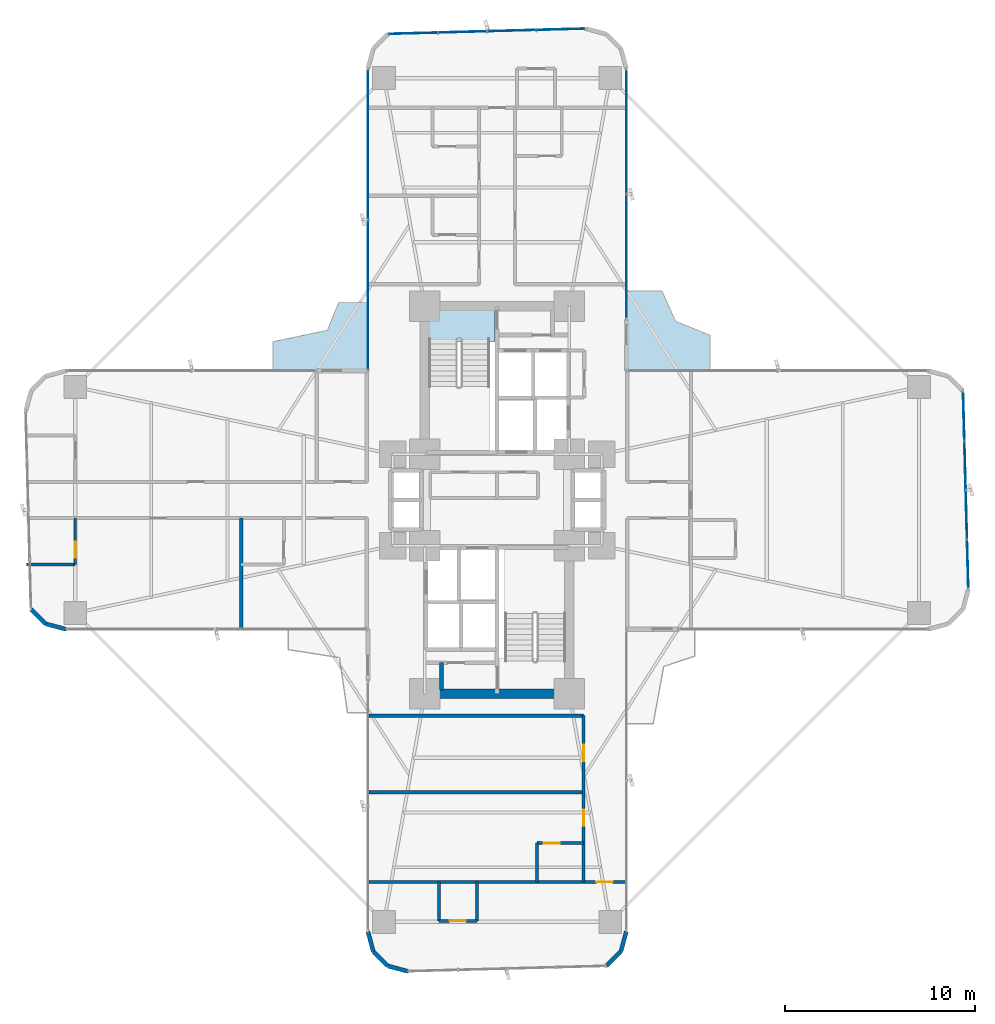
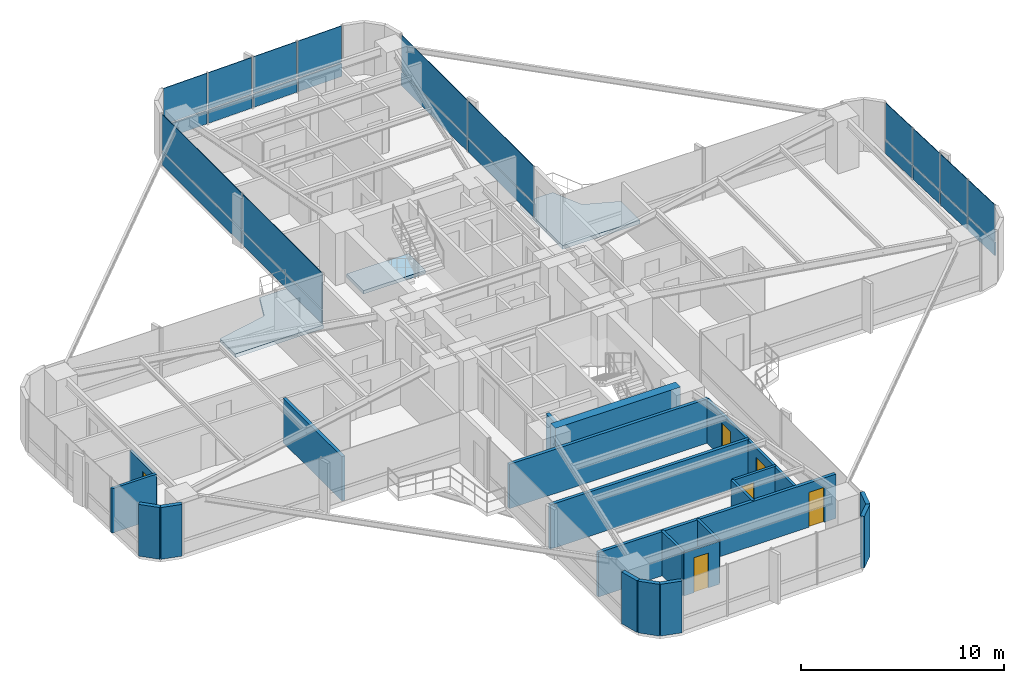
# One storey, part 21 of 25: 24 plates, 21 walls, 6 doors, 3 slabs, 6 openings, 4 elements without a shape of their own.
"""IFC4 building model written with IfcOpenShell, lengths in metres."""

from ifc_helpers import new_model, si_unit, direction, frame, frame_2d, origin, origin_2d, place, context, subcontext, project, spatial, polyline, rectangle, outline, extrude, source, transform, mapped, material, layer, layer_set, type_object, element, fill, aggregate, save


model = new_model("IFC4")

# Units and contexts
model_context = context("Model", 3, precision=1e-05, world=origin(), true_north=direction((0.0, 1.0)))
body_context = subcontext(model_context, "Body", "Model", "MODEL_VIEW")
ifc_project = project(units=[si_unit("LENGTHUNIT", "METRE"), si_unit("AREAUNIT", "SQUARE_METRE"), si_unit("VOLUMEUNIT", "CUBIC_METRE"), si_unit("PLANEANGLEUNIT", "RADIAN"), si_unit("MASSUNIT", "GRAM", prefix="KILO")], contexts=[model_context])

# Site, building, storey
site_placement = place(None, origin())
site = spatial("IfcSite", under=ifc_project, at=site_placement, CompositionType="ELEMENT")
building_placement = place(site_placement, origin())
building = spatial("IfcBuilding", under=site, at=building_placement, Name="Sahyath Konkavel Grand Hotel", CompositionType="ELEMENT")
storey_placement = place(building_placement, frame((0.0, 0.0, 54.39990234375)))
storey = spatial("IfcBuildingStorey", under=building, at=storey_placement, Name="L14", CompositionType="ELEMENT", Elevation=54.39990234375)

# Slabs
ifc_material_1 = material(Name="Concrete C40/50", Category="concrete")
ifc_layer_1 = layer(ifc_material_1, 0.219970703125)
ifc_layer_set_1 = layer_set([ifc_layer_1], Name="Concrete C40/50")
slab_type_1 = type_object("IfcSlabType", Name="SLB-BALCONY-220", PredefinedType="FLOOR", material=ifc_layer_set_1)
slab_1_placement = place(storey_placement, frame((0.0, 0.0, -0.219970703125)))
element("IfcSlab", 1, at=slab_1_placement, inside=storey, type_object=slab_type_1, Name="L14 Winter-Garden Balcony NE", PredefinedType="FLOOR", context=body_context, shape_type="SweptSolid", body=[
    extrude(outline(polyline([(6.800048828125, 6.800048828125), (11.198974609375, 6.800048828125), (11.198974609375, 8.66845703125), (9.39501953125, 9.39501953125), (8.66845703125, 11.0009765625), (6.800048828125, 11.0009765625), (6.800048828125, 6.800048828125)])), origin(), (0.0, 0.0, 1.0), 0.219970703125),
])
slab_2_placement = place(storey_placement, frame((0.0, 0.0, -0.219970703125)))
element("IfcSlab", 2, at=slab_2_placement, inside=storey, type_object=slab_type_1, Name="L14 Winter-Garden Balcony NW", PredefinedType="FLOOR", context=body_context, shape_type="SweptSolid", body=[
    extrude(outline(polyline([(-6.800048828125, 6.800048828125), (-6.800048828125, 10.406982421875), (-8.331298828125, 10.406982421875), (-8.927001953125, 8.927001953125), (-11.79296875, 8.331298828125), (-11.79296875, 6.800048828125), (-6.800048828125, 6.800048828125)])), origin(), (0.0, 0.0, 1.0), 0.219970703125),
])
ifc_layer_2 = layer(ifc_material_1, 0.199951171875)
ifc_layer_set_2 = layer_set([ifc_layer_2], Name="Concrete C40/50")
slab_type_2 = type_object("IfcSlabType", Name="SLB-STAIR-LND", PredefinedType="LANDING", material=ifc_layer_set_2)
slab_3_placement = place(storey_placement, frame((0.0, 0.0, -0.199951171875)))
element("IfcSlab", 3, at=slab_3_placement, inside=storey, type_object=slab_type_2, Name="L14 Stair ST-1 Floor Landing Slab", PredefinedType="LANDING", context=body_context, shape_type="SweptSolid", body=[
    extrude(outline(polyline([(-3.6201171875, 8.35009765625), (-0.10009765625, 8.35009765625), (-0.10009765625, 10.02001953125), (-3.6201171875, 10.02001953125), (-3.6201171875, 8.35009765625)])), origin(), (0.0, 0.0, 1.0), 0.199951171875),
])

# Curtain wall, plates
ifc_material_2 = material(Name="Anodised Bronze Aluminium & Low-E Glazing", Category="aluminium")
curtain_wall_type = type_object("IfcCurtainWallType", Name="CW-ZONE1", PredefinedType="NOTDEFINED", material=ifc_material_2)
curtain_wall_1_placement = place(storey_placement, origin())
curtain_wall_1 = element("IfcCurtainWall", 4, at=curtain_wall_1_placement, inside=storey, type_object=curtain_wall_type, Name="L14 Unitised Curtain Wall F15", PredefinedType="NOTDEFINED")
ifc_material_3 = material(Name="Warm Buff Sandstone Cladding", Category="masonry")
ifc_layer_3 = layer(ifc_material_3, 0.074951171875)
ifc_layer_set_3 = layer_set([ifc_layer_3], Name="Warm Buff Sandstone Cladding")
plate_type_1 = type_object("IfcPlateType", Name="PNL-SPANDREL-STONE", PredefinedType="SHEET", material=ifc_layer_set_3)
shared_shape_1 = source(origin(), body_context, "Body", "SweptSolid", [
    extrude(rectangle(XDim=7.830078125, YDim=0.074951171875, at=origin_2d()), origin(), (0.0, 0.0, 1.0), 0.77001953125),
])
plate_1_placement = place(storey_placement, frame((-6.800048828125, 18.705078125, 0.0400390625), z_axis=(0.0, 0.0, 1.0), x_axis=(0.0, -1.0, 0.0)))
plate_1 = element("IfcPlate", 5, at=plate_1_placement, type_object=plate_type_1, Name="L14 Sandstone Relief Spandrel Panel F15-0", PredefinedType="SHEET", context=body_context, shape_type="MappedRepresentation", body=[
    mapped(shared_shape_1, transform((0.0, 0.0, 0.0), scale=1.0)),
])
plate_2_placement = place(storey_placement, frame((-6.800048828125, 10.794921875, 0.0400390625), z_axis=(0.0, 0.0, 1.0), x_axis=(0.0, -1.0, 0.0)))
plate_2 = element("IfcPlate", 6, at=plate_2_placement, type_object=plate_type_1, Name="L14 Sandstone Relief Spandrel Panel F15-1", PredefinedType="SHEET", context=body_context, shape_type="MappedRepresentation", body=[
    mapped(shared_shape_1, transform((0.0, 0.0, 0.0), scale=1.0)),
])
ifc_material_4 = material(Name="Low-E Solar Control Double Glazing", Category="glass")
ifc_layer_4 = layer(ifc_material_4, 0.035888671875)
ifc_layer_set_4 = layer_set([ifc_layer_4], Name="Low-E Solar Control Double Glazing")
plate_type_2 = type_object("IfcPlateType", Name="PNL-VISION-LOWE", PredefinedType="CURTAIN_PANEL", material=ifc_layer_set_4)
shared_shape_2 = source(origin(), body_context, "Body", "SweptSolid", [
    extrude(rectangle(XDim=7.830078125, YDim=0.035888671875, at=origin_2d()), origin(), (0.0, 0.0, 1.0), 2.179931640625),
])
plate_3_placement = place(storey_placement, frame((-6.800048828125, 18.705078125, 0.89013671875), z_axis=(0.0, 0.0, 1.0), x_axis=(0.0, -1.0, 0.0)))
plate_3 = element("IfcPlate", 7, at=plate_3_placement, type_object=plate_type_2, Name="L14 Low-E Vision Glazing Panel F15-0", PredefinedType="CURTAIN_PANEL", context=body_context, shape_type="MappedRepresentation", body=[
    mapped(shared_shape_2, transform((0.0, 0.0, 0.0), scale=1.0)),
])
plate_4_placement = place(storey_placement, frame((-6.800048828125, 10.794921875, 0.89013671875), z_axis=(0.0, 0.0, 1.0), x_axis=(0.0, -1.0, 0.0)))
plate_4 = element("IfcPlate", 8, at=plate_4_placement, type_object=plate_type_2, Name="L14 Low-E Vision Glazing Panel F15-1", PredefinedType="CURTAIN_PANEL", context=body_context, shape_type="MappedRepresentation", body=[
    mapped(shared_shape_2, transform((0.0, 0.0, 0.0), scale=1.0)),
])
aggregate(curtain_wall_1, [plate_1, plate_3, plate_2, plate_4])

curtain_wall_2_placement = place(storey_placement, origin())
curtain_wall_2 = element("IfcCurtainWall", 9, at=curtain_wall_2_placement, inside=storey, type_object=curtain_wall_type, Name="L14 Unitised Curtain Wall F4", PredefinedType="NOTDEFINED")
shared_shape_3 = source(origin(), body_context, "Body", "SweptSolid", [
    extrude(rectangle(XDim=2.513427734375, YDim=0.074951171875, at=origin_2d()), origin(), (0.0, 0.0, 1.0), 0.77001953125),
])
plate_5_placement = place(storey_placement, frame((24.763916015625, -3.36376953125, 0.0400390625), z_axis=(0.0, 0.0, 1.0), x_axis=(-0.026909728301, 0.999637867691, 0.0)))
plate_5 = element("IfcPlate", 10, at=plate_5_placement, type_object=plate_type_1, Name="L14 Sandstone Relief Spandrel Panel F4-0", PredefinedType="SHEET", context=body_context, shape_type="MappedRepresentation", body=[
    mapped(shared_shape_3, transform((0.0, 0.0, 0.0), scale=1.0)),
])
plate_6_placement = place(storey_placement, frame((24.694091796875, -0.771240234375, 0.0400390625), z_axis=(0.0, 0.0, 1.0), x_axis=(-0.026909728301, 0.999637867691, 0.0)))
plate_6 = element("IfcPlate", 11, at=plate_6_placement, type_object=plate_type_1, Name="L14 Sandstone Relief Spandrel Panel F4-1", PredefinedType="SHEET", context=body_context, shape_type="MappedRepresentation", body=[
    mapped(shared_shape_3, transform((0.0, 0.0, 0.0), scale=1.0)),
])
plate_7_placement = place(storey_placement, frame((24.62451171875, 1.8212890625, 0.0400390625), z_axis=(0.0, 0.0, 1.0), x_axis=(-0.026909728301, 0.999637867691, 0.0)))
plate_7 = element("IfcPlate", 12, at=plate_7_placement, type_object=plate_type_1, Name="L14 Sandstone Relief Spandrel Panel F4-2", PredefinedType="SHEET", context=body_context, shape_type="MappedRepresentation", body=[
    mapped(shared_shape_3, transform((0.0, 0.0, 0.0), scale=1.0)),
])
plate_8_placement = place(storey_placement, frame((24.5546875, 4.413818359375, 0.0400390625), z_axis=(0.0, 0.0, 1.0), x_axis=(-0.026909728301, 0.999637867691, 0.0)))
plate_8 = element("IfcPlate", 13, at=plate_8_placement, type_object=plate_type_1, Name="L14 Sandstone Relief Spandrel Panel F4-3", PredefinedType="SHEET", context=body_context, shape_type="MappedRepresentation", body=[
    mapped(shared_shape_3, transform((0.0, 0.0, 0.0), scale=1.0)),
])

curtain_wall_3_placement = place(storey_placement, origin())
curtain_wall_3 = element("IfcCurtainWall", 14, at=curtain_wall_3_placement, inside=storey, type_object=curtain_wall_type, Name="L14 Unitised Curtain Wall F12", PredefinedType="NOTDEFINED")
plate_9_placement = place(storey_placement, frame((3.36376953125, 24.763916015625, 0.0400390625), z_axis=(0.0, 0.0, 1.0), x_axis=(-0.999637867691, -0.026909728301, 0.0)))
plate_9 = element("IfcPlate", 15, at=plate_9_placement, type_object=plate_type_1, Name="L14 Sandstone Relief Spandrel Panel F12-0", PredefinedType="SHEET", context=body_context, shape_type="MappedRepresentation", body=[
    mapped(shared_shape_3, transform((0.0, 0.0, 0.0), scale=1.0)),
])
plate_10_placement = place(storey_placement, frame((0.771240234375, 24.694091796875, 0.0400390625), z_axis=(0.0, 0.0, 1.0), x_axis=(-0.999637867691, -0.026909728301, 0.0)))
plate_10 = element("IfcPlate", 16, at=plate_10_placement, type_object=plate_type_1, Name="L14 Sandstone Relief Spandrel Panel F12-1", PredefinedType="SHEET", context=body_context, shape_type="MappedRepresentation", body=[
    mapped(shared_shape_3, transform((0.0, 0.0, 0.0), scale=1.0)),
])
plate_11_placement = place(storey_placement, frame((-1.8212890625, 24.62451171875, 0.0400390625), z_axis=(0.0, 0.0, 1.0), x_axis=(-0.999637867691, -0.026909728301, 0.0)))
plate_11 = element("IfcPlate", 17, at=plate_11_placement, type_object=plate_type_1, Name="L14 Sandstone Relief Spandrel Panel F12-2", PredefinedType="SHEET", context=body_context, shape_type="MappedRepresentation", body=[
    mapped(shared_shape_3, transform((0.0, 0.0, 0.0), scale=1.0)),
])
plate_12_placement = place(storey_placement, frame((-4.413818359375, 24.5546875, 0.0400390625), z_axis=(0.0, 0.0, 1.0), x_axis=(-0.999637867691, -0.026909728301, 0.0)))
plate_12 = element("IfcPlate", 18, at=plate_12_placement, type_object=plate_type_1, Name="L14 Sandstone Relief Spandrel Panel F12-3", PredefinedType="SHEET", context=body_context, shape_type="MappedRepresentation", body=[
    mapped(shared_shape_3, transform((0.0, 0.0, 0.0), scale=1.0)),
])

# Plate
shared_shape_4 = source(origin(), body_context, "Body", "SweptSolid", [
    extrude(rectangle(XDim=2.513427734375, YDim=0.035888671875, at=origin_2d()), origin(), (0.0, 0.0, 1.0), 2.179931640625),
])
plate_13_placement = place(storey_placement, frame((24.763916015625, -3.36376953125, 0.89013671875), z_axis=(0.0, 0.0, 1.0), x_axis=(-0.026909728301, 0.999637867691, 0.0)))
plate_13 = element("IfcPlate", 19, at=plate_13_placement, type_object=plate_type_2, Name="L14 Low-E Vision Glazing Panel F4-0", PredefinedType="CURTAIN_PANEL", context=body_context, shape_type="MappedRepresentation", body=[
    mapped(shared_shape_4, transform((0.0, 0.0, 0.0), scale=1.0)),
])

plate_14_placement = place(storey_placement, frame((24.694091796875, -0.771240234375, 0.89013671875), z_axis=(0.0, 0.0, 1.0), x_axis=(-0.026909728301, 0.999637867691, 0.0)))
plate_14 = element("IfcPlate", 20, at=plate_14_placement, type_object=plate_type_2, Name="L14 Low-E Vision Glazing Panel F4-1", PredefinedType="CURTAIN_PANEL", context=body_context, shape_type="MappedRepresentation", body=[
    mapped(shared_shape_4, transform((0.0, 0.0, 0.0), scale=1.0)),
])

plate_15_placement = place(storey_placement, frame((24.62451171875, 1.8212890625, 0.89013671875), z_axis=(0.0, 0.0, 1.0), x_axis=(-0.026909728301, 0.999637867691, 0.0)))
plate_15 = element("IfcPlate", 21, at=plate_15_placement, type_object=plate_type_2, Name="L14 Low-E Vision Glazing Panel F4-2", PredefinedType="CURTAIN_PANEL", context=body_context, shape_type="MappedRepresentation", body=[
    mapped(shared_shape_4, transform((0.0, 0.0, 0.0), scale=1.0)),
])

plate_16_placement = place(storey_placement, frame((24.5546875, 4.413818359375, 0.89013671875), z_axis=(0.0, 0.0, 1.0), x_axis=(-0.026909728301, 0.999637867691, 0.0)))
plate_16 = element("IfcPlate", 22, at=plate_16_placement, type_object=plate_type_2, Name="L14 Low-E Vision Glazing Panel F4-3", PredefinedType="CURTAIN_PANEL", context=body_context, shape_type="MappedRepresentation", body=[
    mapped(shared_shape_4, transform((0.0, 0.0, 0.0), scale=1.0)),
])

aggregate(curtain_wall_2, [plate_5, plate_13, plate_6, plate_14, plate_7, plate_15, plate_8, plate_16])

plate_17_placement = place(storey_placement, frame((3.36376953125, 24.763916015625, 0.89013671875), z_axis=(0.0, 0.0, 1.0), x_axis=(-0.999637867691, -0.026909728301, 0.0)))
plate_17 = element("IfcPlate", 23, at=plate_17_placement, type_object=plate_type_2, Name="L14 Low-E Vision Glazing Panel F12-0", PredefinedType="CURTAIN_PANEL", context=body_context, shape_type="MappedRepresentation", body=[
    mapped(shared_shape_4, transform((0.0, 0.0, 0.0), scale=1.0)),
])

plate_18_placement = place(storey_placement, frame((0.771240234375, 24.694091796875, 0.89013671875), z_axis=(0.0, 0.0, 1.0), x_axis=(-0.999637867691, -0.026909728301, 0.0)))
plate_18 = element("IfcPlate", 24, at=plate_18_placement, type_object=plate_type_2, Name="L14 Low-E Vision Glazing Panel F12-1", PredefinedType="CURTAIN_PANEL", context=body_context, shape_type="MappedRepresentation", body=[
    mapped(shared_shape_4, transform((0.0, 0.0, 0.0), scale=1.0)),
])

plate_19_placement = place(storey_placement, frame((-1.8212890625, 24.62451171875, 0.89013671875), z_axis=(0.0, 0.0, 1.0), x_axis=(-0.999637867691, -0.026909728301, 0.0)))
plate_19 = element("IfcPlate", 25, at=plate_19_placement, type_object=plate_type_2, Name="L14 Low-E Vision Glazing Panel F12-2", PredefinedType="CURTAIN_PANEL", context=body_context, shape_type="MappedRepresentation", body=[
    mapped(shared_shape_4, transform((0.0, 0.0, 0.0), scale=1.0)),
])

plate_20_placement = place(storey_placement, frame((-4.413818359375, 24.5546875, 0.89013671875), z_axis=(0.0, 0.0, 1.0), x_axis=(-0.999637867691, -0.026909728301, 0.0)))
plate_20 = element("IfcPlate", 26, at=plate_20_placement, type_object=plate_type_2, Name="L14 Low-E Vision Glazing Panel F12-3", PredefinedType="CURTAIN_PANEL", context=body_context, shape_type="MappedRepresentation", body=[
    mapped(shared_shape_4, transform((0.0, 0.0, 0.0), scale=1.0)),
])

aggregate(curtain_wall_3, [plate_9, plate_17, plate_10, plate_18, plate_11, plate_19, plate_12, plate_20])

# Curtain wall, plates
curtain_wall_4_placement = place(storey_placement, origin())
curtain_wall_4 = element("IfcCurtainWall", 27, at=curtain_wall_4_placement, inside=storey, type_object=curtain_wall_type, Name="L14 Unitised Curtain Wall F8", PredefinedType="NOTDEFINED")
shared_shape_5 = source(origin(), body_context, "Body", "SweptSolid", [
    extrude(rectangle(XDim=6.47998046875, YDim=0.074951171875, at=origin_2d()), origin(), (0.0, 0.0, 1.0), 0.77001953125),
])
plate_21_placement = place(storey_placement, frame((6.800048828125, 12.820068359375, 0.0400390625), z_axis=(0.0, 0.0, 1.0), x_axis=(0.0, 1.0, 0.0)))
plate_21 = element("IfcPlate", 28, at=plate_21_placement, type_object=plate_type_1, Name="L14 Sandstone Relief Spandrel Panel F8-0", PredefinedType="SHEET", context=body_context, shape_type="MappedRepresentation", body=[
    mapped(shared_shape_5, transform((0.0, 0.0, 0.0), scale=1.0)),
])
plate_22_placement = place(storey_placement, frame((6.800048828125, 19.3798828125, 0.0400390625), z_axis=(0.0, 0.0, 1.0), x_axis=(0.0, 1.0, 0.0)))
plate_22 = element("IfcPlate", 29, at=plate_22_placement, type_object=plate_type_1, Name="L14 Sandstone Relief Spandrel Panel F8-1", PredefinedType="SHEET", context=body_context, shape_type="MappedRepresentation", body=[
    mapped(shared_shape_5, transform((0.0, 0.0, 0.0), scale=1.0)),
])
shared_shape_6 = source(origin(), body_context, "Body", "SweptSolid", [
    extrude(rectangle(XDim=6.47998046875, YDim=0.035888671875, at=origin_2d()), origin(), (0.0, 0.0, 1.0), 2.179931640625),
])
plate_23_placement = place(storey_placement, frame((6.800048828125, 12.820068359375, 0.89013671875), z_axis=(0.0, 0.0, 1.0), x_axis=(0.0, 1.0, 0.0)))
plate_23 = element("IfcPlate", 30, at=plate_23_placement, type_object=plate_type_2, Name="L14 Low-E Vision Glazing Panel F8-0", PredefinedType="CURTAIN_PANEL", context=body_context, shape_type="MappedRepresentation", body=[
    mapped(shared_shape_6, transform((0.0, 0.0, 0.0), scale=1.0)),
])
plate_24_placement = place(storey_placement, frame((6.800048828125, 19.3798828125, 0.89013671875), z_axis=(0.0, 0.0, 1.0), x_axis=(0.0, 1.0, 0.0)))
plate_24 = element("IfcPlate", 31, at=plate_24_placement, type_object=plate_type_2, Name="L14 Low-E Vision Glazing Panel F8-1", PredefinedType="CURTAIN_PANEL", context=body_context, shape_type="MappedRepresentation", body=[
    mapped(shared_shape_6, transform((0.0, 0.0, 0.0), scale=1.0)),
])
aggregate(curtain_wall_4, [plate_21, plate_23, plate_22, plate_24])

# Walls
ifc_material_5 = material(Name="Concrete C70/85", Category="concrete")
ifc_layer_5 = layer(ifc_material_5, 0.5)
ifc_layer_set_5 = layer_set([ifc_layer_5], Name="Concrete C70/85")
wall_type_1 = type_object("IfcWallType", Name="CWALL-500", PredefinedType="SHEAR", material=ifc_layer_set_5)
wall_1_placement = place(storey_placement, frame((-3.550048828125, -10.199951171875, 0.0), z_axis=(0.0, 0.0, 1.0), x_axis=(1.0, 0.0, 0.0)))
element("IfcWall", 32, at=wall_1_placement, inside=storey, type_object=wall_type_1, Name="L14 South Core Shear Wall S", PredefinedType="SHEAR", context=body_context, shape_type="SweptSolid", body=[
    extrude(rectangle(XDim=7.10009765625, YDim=0.5, at=frame_2d((3.550048828125, 0.0))), origin(), (0.0, 0.0, 1.0), 3.110107421875),
])
ifc_material_6 = material(Name="Warm Buff Sandstone Insulated Concrete C40/50", Category="masonry")
ifc_layer_6 = layer(ifc_material_6, 0.219970703125)
ifc_layer_set_6 = layer_set([ifc_layer_6], Name="Warm Buff Sandstone Insulated Concrete C40/50")
wall_type_2 = type_object("IfcWallType", Name="WLL-BALC-THRESH", PredefinedType="STANDARD", material=ifc_layer_set_6)
for number, where, z_axis, x_axis, name in (
    (33, (-24.518798828125, -5.75, 0.0), (0.0, 0.0, 1.0), (0.707106781187, -0.707106781187, 0.0), "L14 Rounded Corner Sandstone Pier 21"),
    (34, (-23.75, -6.518798828125, 0.0), (0.0, 0.0, 1.0), (0.965951058412, -0.25872485917, 0.0), "L14 Rounded Corner Sandstone Pier 22"),
    (35, (-6.800048828125, -22.699951171875, 0.0), (0.0, 0.0, 1.0), (0.25872485917, -0.965951058412, 0.0), "L14 Rounded Corner Sandstone Pier 25"),
    (36, (-6.518798828125, -23.75, 0.0), (0.0, 0.0, 1.0), (0.707106781187, -0.707106781187, 0.0), "L14 Rounded Corner Sandstone Pier 26"),
    (37, (-5.75, -24.518798828125, 0.0), (0.0, 0.0, 1.0), (0.965951058412, -0.25872485917, 0.0), "L14 Rounded Corner Sandstone Pier 27"),
    (38, (5.75, -24.518798828125, 0.0), (0.0, 0.0, 1.0), (0.707106781187, 0.707106781187, 0.0), "L14 Rounded Corner Sandstone Pier 29"),
    (39, (6.518798828125, -23.75, 0.0), (0.0, 0.0, 1.0), (0.25872485917, 0.965951058412, 0.0), "L14 Rounded Corner Sandstone Pier 30"),
):
    element("IfcWall", number, at=place(storey_placement, frame(where, z_axis=z_axis, x_axis=x_axis)), inside=storey, type_object=wall_type_2, Name=name, PredefinedType="STANDARD", context=body_context, shape_type="SweptSolid", body=[
        extrude(rectangle(XDim=1.087158203125, YDim=0.219970703125, at=frame_2d((0.54345703125, 0.0))), origin(), (0.0, 0.0, 1.0), 3.110107421875),
    ])
ifc_layer_7 = layer(ifc_material_1, 0.199951171875)
ifc_layer_set_7 = layer_set([ifc_layer_7], Name="Concrete C40/50")
wall_type_3 = type_object("IfcWallType", Name="WLL-CORE-200", PredefinedType="SOLIDWALL", material=ifc_layer_set_7)
wall_2_placement = place(storey_placement, frame((-2.919921875, -10.0, 0.0), z_axis=(0.0, 0.0, 1.0), x_axis=(0.0, 1.0, 0.0)))
element("IfcWall", 40, at=wall_2_placement, inside=storey, type_object=wall_type_3, Name="L14 Partition SFF-W2", PredefinedType="SOLIDWALL", context=body_context, shape_type="SweptSolid", body=[
    extrude(rectangle(XDim=1.43994140625, YDim=0.199951171875, at=frame_2d((0.719970703125, 0.0))), origin(), (0.0, 0.0, 1.0), 2.66015625),
])
ifc_material_7 = material(Name="Twin-Stud Acoustic Gypsum Plasterboard Partition")
ifc_layer_8 = layer(ifc_material_7, 0.179931640625)
ifc_layer_set_8 = layer_set([ifc_layer_8], Name="Twin-Stud Acoustic Gypsum Plasterboard Partition")
wall_type_4 = type_object("IfcWallType", Name="WLL-DEMISE-180", PredefinedType="PARTITIONING", material=ifc_layer_set_8)
wall_3_placement = place(storey_placement, frame((-13.472900390625, -0.949951171875, 0.0), z_axis=(0.0, 0.0, 1.0), x_axis=(0.0, -1.0, 0.0)))
element("IfcWall", 41, at=wall_3_placement, inside=storey, type_object=wall_type_4, Name="L14 Partition W-W1L-DEM", PredefinedType="PARTITIONING", context=body_context, shape_type="SweptSolid", body=[
    extrude(rectangle(XDim=5.800048828125, YDim=0.179931640625, at=frame_2d((2.89990234375, 0.0))), origin(), (0.0, 0.0, 1.0), 2.66015625),
])
for number, where, z_axis, x_axis, name in (
    (42, (-6.75, -11.35009765625, 0.0), (0.0, 0.0, 1.0), (1.0, 0.0, 0.0), "L14 Partition S-G5I"),
    (43, (4.550048828125, -15.375, 0.0), (0.0, 0.0, 1.0), (-1.0, 0.0, 0.0), "L14 Partition S-SD1-DEM"),
):
    element("IfcWall", number, at=place(storey_placement, frame(where, z_axis=z_axis, x_axis=x_axis)), inside=storey, type_object=wall_type_4, Name=name, PredefinedType="PARTITIONING", context=body_context, shape_type="SweptSolid", body=[
        extrude(rectangle(XDim=11.300048828125, YDim=0.179931640625, at=frame_2d((5.64990234375, 0.0))), origin(), (0.0, 0.0, 1.0), 2.66015625),
    ])

# Wall, opening, door
wall_4_placement = place(storey_placement, frame((-6.75, -20.10009765625, 0.0), z_axis=(0.0, 0.0, 1.0), x_axis=(1.0, 0.0, 0.0)))
wall_4 = element("IfcWall", 44, at=wall_4_placement, inside=storey, type_object=wall_type_4, Name="L14 Partition S-STIP-END", PredefinedType="PARTITIONING", context=body_context, shape_type="SweptSolid", body=[
    extrude(rectangle(XDim=13.5, YDim=0.179931640625, at=frame_2d((6.75, 0.0))), origin(), (0.0, 0.0, 1.0), 2.66015625),
])
opening_1_placement = place(wall_4_placement, frame((11.97509765625, 0.0, 0.0)))
opening_1 = element("IfcOpeningElement", 45, at=opening_1_placement, cuts=wall_4, Name="Opening D-F06D", PredefinedType="OPENING", context=body_context, shape_type="SweptSolid", body=[
    extrude(rectangle(XDim=0.85009765625, YDim=2.10009765625, at=frame_2d((0.425048828125, 1.050048828125))), frame((0.0, 0.10009765625, 0.0), z_axis=(0.0, -1.0, 0.0), x_axis=(1.0, 0.0, 0.0)), (0.0, 0.0, 1.0), 0.199951171875),
])
ifc_material_8 = material(Name="Fire-Rated Shaft Access Door")
door_type_1 = type_object("IfcDoorType", Name="DR-FD60-850", OperationType="NOTDEFINED", PredefinedType="DOOR", material=ifc_material_8)
shared_shape_7 = source(origin(), body_context, "Body", "SweptSolid", [
    extrude(rectangle(XDim=0.85009765625, YDim=0.050048828125, at=origin_2d()), origin(), (0.0, 0.0, 1.0), 2.10009765625),
])
door_1_placement = place(opening_1_placement, frame((0.425048828125, 0.0, 0.0)))
door_1 = element("IfcDoor", 46, at=door_1_placement, inside=storey, type_object=door_type_1, Name="L14 Door S-STIP-ED", OperationType="SINGLE_SWING_RIGHT", OverallHeight=2.10009765625, OverallWidth=0.85009765625, PredefinedType="DOOR", context=body_context, shape_type="MappedRepresentation", body=[
    mapped(shared_shape_7, transform((0.0, 0.0, 0.0), scale=1.0)),
])
fill(opening_1, door_1)

ifc_material_9 = material(Name="Fire-Rated Gypsum Plasterboard Partition")
ifc_layer_9 = layer(ifc_material_9, 0.14990234375)
ifc_layer_set_9 = layer_set([ifc_layer_9], Name="Fire-Rated Gypsum Plasterboard Partition")
wall_type_5 = type_object("IfcWallType", Name="WLL-PART-150", PredefinedType="PARTITIONING", material=ifc_layer_set_9)
wall_5_placement = place(storey_placement, frame((-22.199951171875, -0.949951171875, 0.0), z_axis=(0.0, 0.0, 1.0), x_axis=(0.0, -1.0, 0.0)))
wall_5 = element("IfcWall", 47, at=wall_5_placement, inside=storey, type_object=wall_type_5, Name="L14 Partition W-W2L-BS", PredefinedType="PARTITIONING", context=body_context, shape_type="SweptSolid", body=[
    extrude(rectangle(XDim=2.449951171875, YDim=0.14990234375, at=frame_2d((1.22509765625, 0.0))), origin(), (0.0, 0.0, 1.0), 2.580078125),
])
opening_2_placement = place(wall_5_placement, frame((1.25, 0.0, 0.0)))
opening_2 = element("IfcOpeningElement", 48, at=opening_2_placement, cuts=wall_5, Name="Opening D-BT85", PredefinedType="OPENING", context=body_context, shape_type="SweptSolid", body=[
    extrude(rectangle(XDim=0.85009765625, YDim=2.10009765625, at=frame_2d((0.425048828125, 1.050048828125))), frame((0.0, 0.0849609375, 0.0), z_axis=(0.0, -1.0, 0.0), x_axis=(1.0, 0.0, 0.0)), (0.0, 0.0, 1.0), 0.169921875),
])
ifc_material_10 = material(Name="Moisture-Resistant Teak Bathroom Door")
door_type_2 = type_object("IfcDoorType", Name="DR-BATH-850", OperationType="NOTDEFINED", PredefinedType="DOOR", material=ifc_material_10)
door_2_placement = place(opening_2_placement, frame((0.425048828125, 0.0, 0.0)))
door_2 = element("IfcDoor", 49, at=door_2_placement, inside=storey, type_object=door_type_2, Name="L14 Door W-W2L-BD", OperationType="SINGLE_SWING_LEFT", OverallHeight=2.10009765625, OverallWidth=0.85009765625, PredefinedType="DOOR", context=body_context, shape_type="MappedRepresentation", body=[
    mapped(shared_shape_7, transform((0.0, 0.0, 0.0), scale=1.0)),
])
fill(opening_2, door_2)

# Wall
wall_6_placement = place(storey_placement, frame((-22.199951171875, -3.39990234375, 0.0), z_axis=(0.0, 0.0, 1.0), x_axis=(-1.0, 0.0, 0.0)))
element("IfcWall", 50, at=wall_6_placement, inside=storey, type_object=wall_type_5, Name="L14 Partition W-W2L-BF", PredefinedType="PARTITIONING", context=body_context, shape_type="SweptSolid", body=[
    extrude(rectangle(XDim=2.550048828125, YDim=0.14990234375, at=frame_2d((1.27490234375, 0.0))), origin(), (0.0, 0.0, 1.0), 2.66015625),
])

# Wall, openings, doors
wall_7_placement = place(storey_placement, frame((4.550048828125, -11.35009765625, 0.0), z_axis=(0.0, 0.0, 1.0), x_axis=(0.0, -1.0, 0.0)))
wall_7 = element("IfcWall", 51, at=wall_7_placement, inside=storey, type_object=wall_type_5, Name="L14 Partition S-G5W", PredefinedType="PARTITIONING", context=body_context, shape_type="SweptSolid", body=[
    extrude(rectangle(XDim=8.75, YDim=0.14990234375, at=frame_2d((4.375, 0.0))), origin(), (0.0, 0.0, 1.0), 2.630126953125),
])
opening_3_placement = place(wall_7_placement, frame((1.5380859375, 0.0, 0.0)))
opening_3 = element("IfcOpeningElement", 52, at=opening_3_placement, cuts=wall_7, Name="Opening D-F06D", PredefinedType="OPENING", context=body_context, shape_type="SweptSolid", body=[
    extrude(rectangle(XDim=0.85009765625, YDim=2.10009765625, at=frame_2d((0.425048828125, 1.050048828125))), frame((0.0, 0.0849609375, 0.0), z_axis=(0.0, -1.0, 0.0), x_axis=(1.0, 0.0, 0.0)), (0.0, 0.0, 1.0), 0.169921875),
])
opening_4_placement = place(wall_7_placement, frame((4.93701171875, 0.0, 0.0)))
opening_4 = element("IfcOpeningElement", 53, at=opening_4_placement, cuts=wall_7, Name="Opening D-F06D", PredefinedType="OPENING", context=body_context, shape_type="SweptSolid", body=[
    extrude(rectangle(XDim=0.85009765625, YDim=2.10009765625, at=frame_2d((0.425048828125, 1.050048828125))), frame((0.0, 0.0849609375, 0.0), z_axis=(0.0, -1.0, 0.0), x_axis=(1.0, 0.0, 0.0)), (0.0, 0.0, 1.0), 0.169921875),
])
door_3_placement = place(opening_3_placement, frame((0.425048828125, 0.0, 0.0)))
door_3 = element("IfcDoor", 54, at=door_3_placement, inside=storey, type_object=door_type_1, Name="L14 Door S-SD1-D", OperationType="SINGLE_SWING_RIGHT", OverallHeight=2.10009765625, OverallWidth=0.85009765625, PredefinedType="DOOR", context=body_context, shape_type="MappedRepresentation", body=[
    mapped(shared_shape_7, transform((0.0, 0.0, 0.0), scale=1.0)),
])
fill(opening_3, door_3)
door_4_placement = place(opening_4_placement, frame((0.425048828125, 0.0, 0.0)))
door_4 = element("IfcDoor", 55, at=door_4_placement, inside=storey, type_object=door_type_1, Name="L14 Door S-SD2-ED", OperationType="SINGLE_SWING_RIGHT", OverallHeight=2.10009765625, OverallWidth=0.85009765625, PredefinedType="DOOR", context=body_context, shape_type="MappedRepresentation", body=[
    mapped(shared_shape_7, transform((0.0, 0.0, 0.0), scale=1.0)),
])
fill(opening_4, door_4)

# Wall, opening, door
wall_8_placement = place(storey_placement, frame((4.550048828125, -18.050048828125, 0.0), z_axis=(0.0, 0.0, 1.0), x_axis=(-1.0, 0.0, 0.0)))
wall_8 = element("IfcWall", 56, at=wall_8_placement, inside=storey, type_object=wall_type_5, Name="L14 Partition S-SD2-BS", PredefinedType="PARTITIONING", context=body_context, shape_type="SweptSolid", body=[
    extrude(rectangle(XDim=2.449951171875, YDim=0.14990234375, at=frame_2d((1.22509765625, 0.0))), origin(), (0.0, 0.0, 1.0), 2.66015625),
])
opening_5_placement = place(wall_8_placement, frame((1.25, 0.0, 0.0)))
opening_5 = element("IfcOpeningElement", 57, at=opening_5_placement, cuts=wall_8, Name="Opening D-BT85", PredefinedType="OPENING", context=body_context, shape_type="SweptSolid", body=[
    extrude(rectangle(XDim=0.85009765625, YDim=2.10009765625, at=frame_2d((0.425048828125, 1.050048828125))), frame((0.0, 0.0849609375, 0.0), z_axis=(0.0, -1.0, 0.0), x_axis=(1.0, 0.0, 0.0)), (0.0, 0.0, 1.0), 0.169921875),
])
door_5_placement = place(opening_5_placement, frame((0.425048828125, 0.0, 0.0)))
door_5 = element("IfcDoor", 58, at=door_5_placement, inside=storey, type_object=door_type_2, Name="L14 Door S-SD2-BD", OperationType="SINGLE_SWING_LEFT", OverallHeight=2.10009765625, OverallWidth=0.85009765625, PredefinedType="DOOR", context=body_context, shape_type="MappedRepresentation", body=[
    mapped(shared_shape_7, transform((0.0, 0.0, 0.0), scale=1.0)),
])
fill(opening_5, door_5)

# Walls
wall_9_placement = place(storey_placement, frame((2.10009765625, -18.050048828125, 0.0), z_axis=(0.0, 0.0, 1.0), x_axis=(0.0, -1.0, 0.0)))
element("IfcWall", 59, at=wall_9_placement, inside=storey, type_object=wall_type_5, Name="L14 Partition S-SD2-BF", PredefinedType="PARTITIONING", context=body_context, shape_type="SweptSolid", body=[
    extrude(rectangle(XDim=2.050048828125, YDim=0.14990234375, at=frame_2d((1.02490234375, 0.0))), origin(), (0.0, 0.0, 1.0), 2.66015625),
])
for number, where, z_axis, x_axis, name in (
    (60, (-1.050048828125, -20.10009765625, 0.0), (0.0, 0.0, 1.0), (0.0, -1.0, 0.0), "L14 Partition S-STIP-BN"),
    (61, (-3.050048828125, -20.10009765625, 0.0), (0.0, 0.0, 1.0), (0.0, -1.0, 0.0), "L14 Partition S-STIP-BS"),
):
    element("IfcWall", number, at=place(storey_placement, frame(where, z_axis=z_axis, x_axis=x_axis)), inside=storey, type_object=wall_type_5, Name=name, PredefinedType="PARTITIONING", context=body_context, shape_type="SweptSolid", body=[
        extrude(rectangle(XDim=2.0498046875, YDim=0.14990234375, at=frame_2d((1.02490234375, 0.0))), origin(), (0.0, 0.0, 1.0), 2.66015625),
    ])

# Wall, opening, door
wall_10_placement = place(storey_placement, frame((-3.050048828125, -22.14990234375, 0.0), z_axis=(0.0, 0.0, 1.0), x_axis=(1.0, 0.0, 0.0)))
wall_10 = element("IfcWall", 62, at=wall_10_placement, inside=storey, type_object=wall_type_5, Name="L14 Partition S-STIP-BE", PredefinedType="PARTITIONING", context=body_context, shape_type="SweptSolid", body=[
    extrude(rectangle(XDim=2.0, YDim=0.14990234375, at=frame_2d((1.0, 0.0))), origin(), (0.0, 0.0, 1.0), 2.580078125),
])
opening_6_placement = place(wall_10_placement, frame((0.550048828125, 0.0, 0.0)))
opening_6 = element("IfcOpeningElement", 63, at=opening_6_placement, cuts=wall_10, Name="Opening D-BT85", PredefinedType="OPENING", context=body_context, shape_type="SweptSolid", body=[
    extrude(rectangle(XDim=0.85009765625, YDim=2.10009765625, at=frame_2d((0.425048828125, 1.050048828125))), frame((0.0, 0.0849609375, 0.0), z_axis=(0.0, -1.0, 0.0), x_axis=(1.0, 0.0, 0.0)), (0.0, 0.0, 1.0), 0.169921875),
])
door_6_placement = place(opening_6_placement, frame((0.425048828125, 0.0, 0.0)))
door_6 = element("IfcDoor", 64, at=door_6_placement, inside=storey, type_object=door_type_2, Name="L14 Door S-STIP-BD", OperationType="SINGLE_SWING_LEFT", OverallHeight=2.10009765625, OverallWidth=0.85009765625, PredefinedType="DOOR", context=body_context, shape_type="MappedRepresentation", body=[
    mapped(shared_shape_7, transform((0.0, 0.0, 0.0), scale=1.0)),
])
fill(opening_6, door_6)

save(model, "model.ifc")
